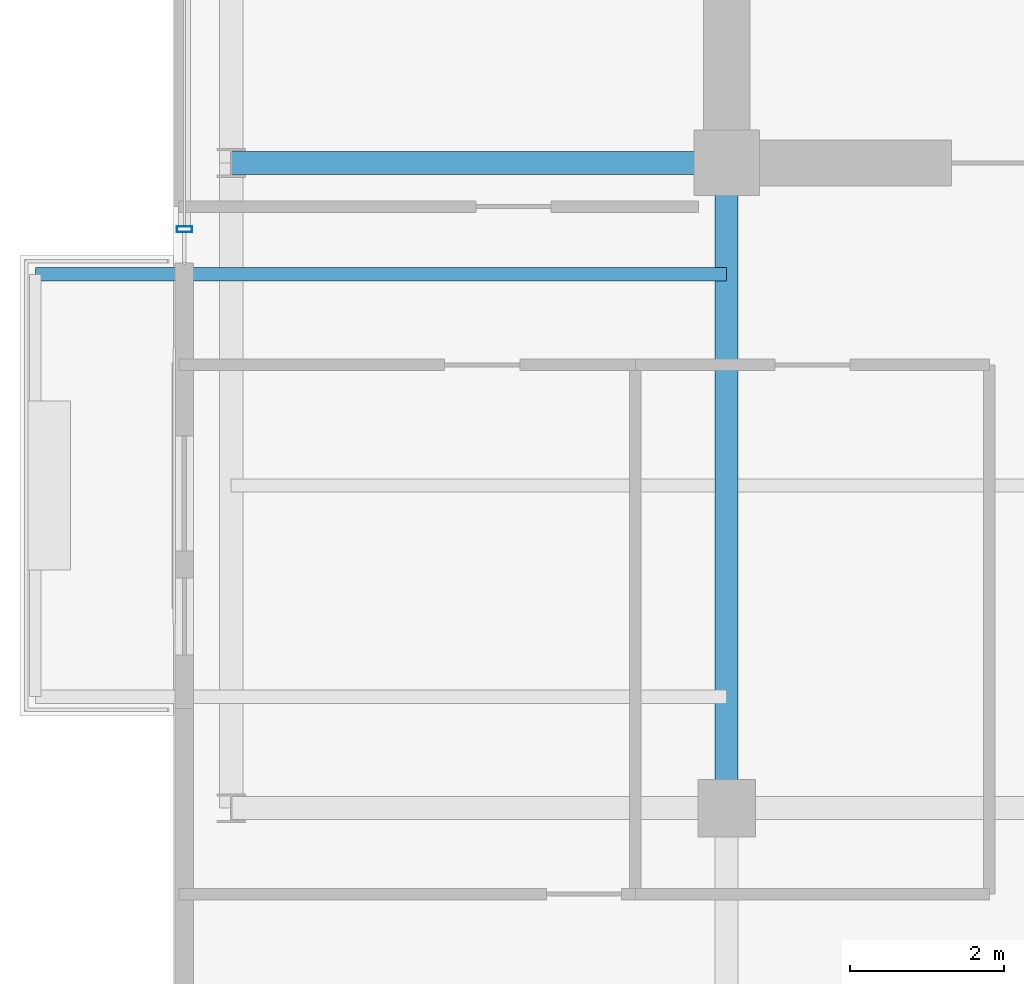
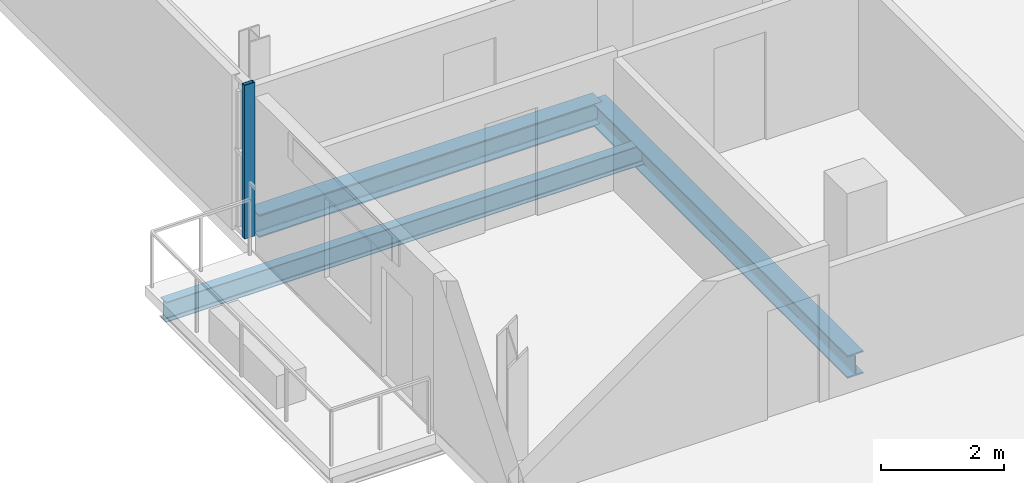
# One storey, part 4 of 28: 3 beams, 1 member, 1 element without a shape of its own.
"""IFC4 building model written with IfcOpenShell, lengths in metres."""

from ifc_helpers import new_model, si_unit, direction, frame, origin, origin_2d, place, context, subcontext, project, spatial, hollow_rectangle, i_section, extrude, source, transform, mapped, material, layer, layer_set, material_profile, profile_set, type_object, element, aggregate, save


model = new_model("IFC4")

# Units and contexts
model_context = context("Model", 3, precision=1e-05, world=origin(), true_north=direction((0.0, 1.0)))
body_context = subcontext(model_context, "Body", "Model", "MODEL_VIEW")
ifc_project = project(units=[si_unit("LENGTHUNIT", "METRE"), si_unit("AREAUNIT", "SQUARE_METRE"), si_unit("VOLUMEUNIT", "CUBIC_METRE"), si_unit("PLANEANGLEUNIT", "RADIAN"), si_unit("MASSUNIT", "GRAM", prefix="KILO")], contexts=[model_context])

# Site, building, storey
site_placement = place(None, origin())
site = spatial("IfcSite", under=ifc_project, at=site_placement, CompositionType="ELEMENT")
building_placement = place(site_placement, origin())
building = spatial("IfcBuilding", under=site, at=building_placement, Name="Zarnakvel Exchange Tower", CompositionType="ELEMENT")
storey_placement = place(building_placement, frame((0.0, 0.0, 261.699951171875)))
storey = spatial("IfcBuildingStorey", under=building, at=storey_placement, Name="L74", CompositionType="ELEMENT", Elevation=261.699951171875)

# Beams
ifc_material_1 = material(Name="Steel S355", Category="steel")
ifc_material_profile_1 = material_profile(ifc_material_1, i_section(OverallWidth=0.179931640625, OverallDepth=0.39990234375, WebThickness=0.008544921875, FlangeThickness=0.013427734375, FilletRadius=0.02099609375, at=origin_2d()))
ifc_profile_set_1 = profile_set([ifc_material_profile_1], Name="Steel S355")
beam_type_1 = type_object("IfcBeamType", Name="B-06", PredefinedType="JOIST", material=ifc_profile_set_1)
beam_1_placement = place(storey_placement, frame((-14.39990234375, -2.64990234375, -0.425048828125), z_axis=(-1.0, 0.0, 0.0), x_axis=(0.0, -1.0, 0.0)))
element("IfcBeam", 1, at=beam_1_placement, inside=storey, type_object=beam_type_1, Name="L74 Continuous West Loggia Beam N", PredefinedType="JOIST", context=body_context, shape_type="SweptSolid", body=[
    extrude(i_section(OverallWidth=0.179931640625, OverallDepth=0.39990234375, WebThickness=0.008544921875, FlangeThickness=0.013427734375, FilletRadius=0.02099609375, at=origin_2d()), origin(), (0.0, 0.0, 1.0), 9.0),
])
ifc_material_profile_2 = material_profile(ifc_material_1, i_section(OverallWidth=0.300048828125, OverallDepth=0.449951171875, WebThickness=0.013916015625, FlangeThickness=0.02587890625, FilletRadius=0.027099609375, at=origin_2d()))
ifc_profile_set_2 = profile_set([ifc_material_profile_2], Name="Steel S355")
beam_type_2 = type_object("IfcBeamType", Name="G-07", PredefinedType="BEAM", material=ifc_profile_set_2)
beam_2_placement = place(storey_placement, frame((-20.85009765625, -1.199951171875, -0.449951171875), z_axis=(1.0, 0.0, 0.0), x_axis=(0.0, 1.0, 0.0)))
element("IfcBeam", 2, at=beam_2_placement, inside=storey, type_object=beam_type_2, Name="L74 Tower E-W Frame Beam", PredefinedType="BEAM", context=body_context, shape_type="SweptSolid", body=[
    extrude(i_section(OverallWidth=0.300048828125, OverallDepth=0.449951171875, WebThickness=0.013916015625, FlangeThickness=0.02587890625, FilletRadius=0.027099609375, at=origin_2d()), origin(), (0.0, 0.0, 1.0), 6.4501953125),
])
beam_3_placement = place(storey_placement, frame((-14.39990234375, -9.60009765625, -0.449951171875), z_axis=(0.0, 1.0, 0.0), x_axis=(-1.0, 0.0, 0.0)))
element("IfcBeam", 3, at=beam_3_placement, inside=storey, type_object=beam_type_2, Name="L74 Tower N-S Frame Beam", PredefinedType="BEAM", context=body_context, shape_type="SweptSolid", body=[
    extrude(i_section(OverallWidth=0.300048828125, OverallDepth=0.449951171875, WebThickness=0.013916015625, FlangeThickness=0.02587890625, FilletRadius=0.027099609375, at=origin_2d()), origin(), (0.0, 0.0, 1.0), 8.400146484375),
])

# Curtain wall, member
ifc_material_2 = material(Name="Architectural Bronze Anodised Aluminium", Category="aluminium")
ifc_layer = layer(ifc_material_2, 0.199951171875)
ifc_layer_set = layer_set([ifc_layer], Name="Architectural Bronze Anodised Aluminium")
curtain_wall_type = type_object("IfcCurtainWallType", Name="CW-04", PredefinedType="NOTDEFINED", material=ifc_layer_set)
curtain_wall_placement = place(storey_placement, origin())
curtain_wall = element("IfcCurtainWall", 4, at=curtain_wall_placement, inside=storey, type_object=curtain_wall_type, Name="L74 Curtain Wall CW-L74-WN (CW-04)", PredefinedType="NOTDEFINED")
ifc_material_profile_3 = material_profile(ifc_material_2, hollow_rectangle(XDim=0.199951171875, YDim=0.074951171875, WallThickness=0.0048828125, at=origin_2d()))
ifc_profile_set_3 = profile_set([ifc_material_profile_3], Name="Architectural Bronze Anodised Aluminium")
member_type = type_object("IfcMemberType", Name="CWM-04", PredefinedType="MULLION", material=ifc_profile_set_3)
shared_shape = source(origin(), body_context, "Body", "SweptSolid", [
    extrude(hollow_rectangle(XDim=0.199951171875, YDim=0.074951171875, WallThickness=0.0048828125, at=origin_2d()), origin(), (0.0, 0.0, 1.0), 3.054931640625),
])
member_placement = place(storey_placement, frame((-21.4599609375, -2.0625, 0.0), z_axis=(0.0, 0.0, 1.0), x_axis=(-1.0, 0.0, 0.0)))
member = element("IfcMember", 5, at=member_placement, type_object=member_type, Name="CW-04 mullion 1", PredefinedType="MULLION", context=body_context, shape_type="MappedRepresentation", body=[
    mapped(shared_shape, transform((0.0, 0.0, 0.0), x_axis=(1.0, 0.0, 0.0), y_axis=(0.0, 1.0, 0.0), z_axis=(0.0, 0.0, 1.0), scale=1.0)),
])
aggregate(curtain_wall, [member])

save(model, "model.ifc")
